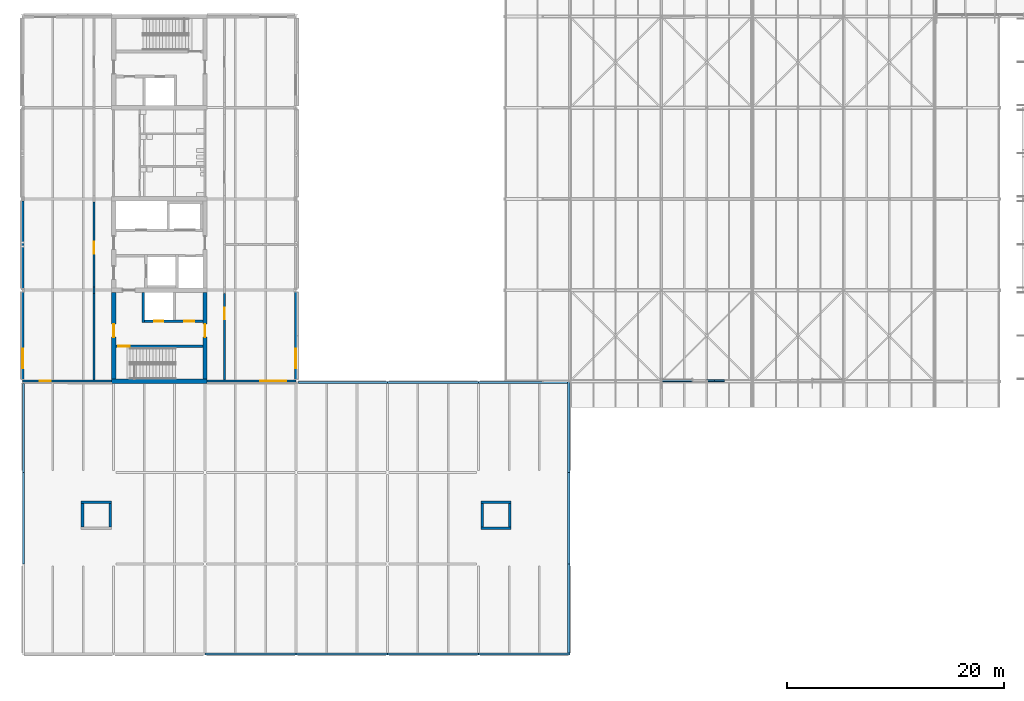
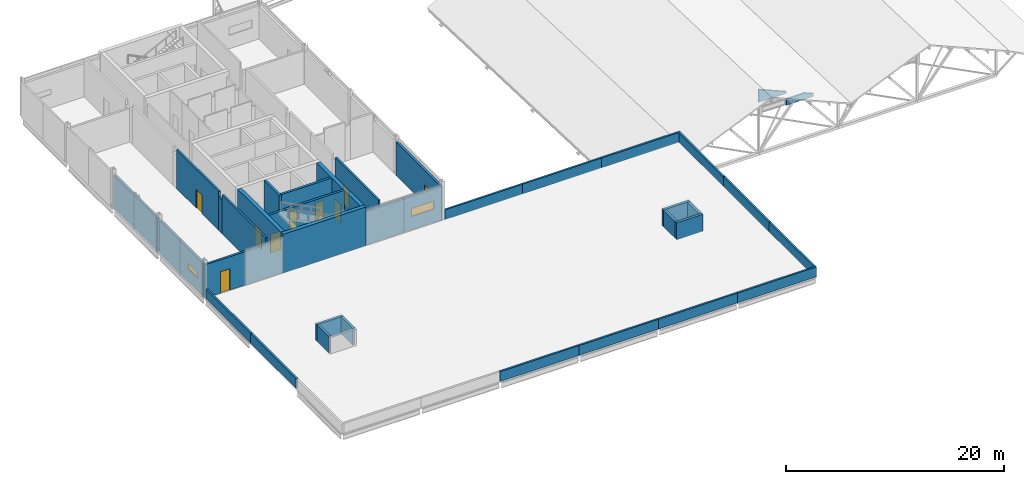
# One storey, part 31 of 76: 36 walls, 8 doors, 3 windows, 11 openings.
"""IFC4 building model written with IfcOpenShell, lengths in metres."""

import ifcopenshell
import ifcopenshell.guid

model = None  # the IFC model being written
_history = None  # IfcOwnerHistory: only IFC2X3 demands one
_inside = {}  # id of a spatial element -> (the spatial element, [elements in it])
_under = {}  # id of a project, library or spatial element -> (it, [spatial elements below it])
_declared = {}  # id of a project -> (the project, [libraries it declares])
_typed = {}  # id of a type object -> (the type object, [elements of that type])
_made_of = {}  # id of a material, layer set ... -> (it, [elements and type objects made of it])


def new_model(schema):
    """Start an empty IFC model of exactly this schema.

    Asked for "IFC4X3", IfcOpenShell would pick the latest addendum, in which some entities
    have other attributes; the version numbers below select the first issue.
    IFC2X3 requires an IfcOwnerHistory on every rooted entity: one is made here for all.
    """
    global model, _history
    if schema == "IFC4X3":
        model = ifcopenshell.file(schema_version=(4, 3, 0, 0))
    else:
        model = ifcopenshell.file(schema=schema)
    _inside.clear()
    _under.clear()
    _declared.clear()
    _typed.clear()
    _made_of.clear()
    _history = None
    if model.schema == "IFC2X3":
        org = make("IfcOrganization", Name="unknown")
        user = make(
            "IfcPersonAndOrganization",
            ThePerson=make("IfcPerson", FamilyName="unknown"),
            TheOrganization=org,
        )
        app = make(
            "IfcApplication",
            ApplicationDeveloper=org,
            Version="unknown",
            ApplicationFullName="unknown",
            ApplicationIdentifier="unknown",
        )
        _history = make(
            "IfcOwnerHistory",
            OwningUser=user,
            OwningApplication=app,
            ChangeAction="ADDED",
            CreationDate=0,
        )
    return model


def make(cls, **values):
    """One entity of the class cls with the attributes given. An attribute that is None is left unset."""
    return model.create_entity(
        cls, **{name: value for name, value in values.items() if value is not None}
    )


def rooted(cls, **values):
    """An entity with a GlobalId (a new one), such as an element, a storey or a relation."""
    return make(cls, GlobalId=ifcopenshell.guid.new(), OwnerHistory=_history, **values)


def si_unit(unit_type, name, prefix=None):
    """IfcSIUnit, for example si_unit("LENGTHUNIT", "METRE", prefix="MILLI")."""
    return make("IfcSIUnit", UnitType=unit_type, Prefix=prefix, Name=name)


def assignment(units):
    """IfcUnitAssignment: the units of a project."""
    return None if units is None else make("IfcUnitAssignment", Units=units)


def point(xyz):
    """IfcCartesianPoint."""
    return None if xyz is None else make("IfcCartesianPoint", Coordinates=xyz)


def direction(xyz):
    """IfcDirection."""
    return None if xyz is None else make("IfcDirection", DirectionRatios=xyz)


def frame(location, z_axis=None, x_axis=None):
    """IfcAxis2Placement3D, a coordinate frame: its origin and axes. An axis left out is left unset."""
    return make(
        "IfcAxis2Placement3D",
        Location=point(location),
        Axis=direction(z_axis),
        RefDirection=direction(x_axis),
    )


def frame_2d(location, x_axis=None):
    """IfcAxis2Placement2D, a coordinate frame in the plane: its origin and x axis."""
    return make(
        "IfcAxis2Placement2D", Location=point(location), RefDirection=direction(x_axis)
    )


def origin():
    """The frame at (0, 0, 0) with its axes left unset."""
    return frame((0.0, 0.0, 0.0))


def place(relative_to, where):
    """IfcLocalPlacement: puts the frame where relative to a parent placement (None: the world)."""
    return make(
        "IfcLocalPlacement", PlacementRelTo=relative_to, RelativePlacement=where
    )


def context(
    kind, dimensions, precision=None, world=None, true_north=None, identifier=None
):
    """IfcGeometricRepresentationContext, for example the 3D "Model" context."""
    return make(
        "IfcGeometricRepresentationContext",
        ContextIdentifier=identifier,
        ContextType=kind,
        CoordinateSpaceDimension=dimensions,
        Precision=precision,
        WorldCoordinateSystem=world,
        TrueNorth=true_north,
    )


def subcontext(parent, identifier, kind, view, scale=None):
    """IfcGeometricRepresentationSubContext, for example "Body" below "Model"."""
    return make(
        "IfcGeometricRepresentationSubContext",
        ContextIdentifier=identifier,
        ContextType=kind,
        ParentContext=parent,
        TargetScale=scale,
        TargetView=view,
    )


def project(units=None, contexts=None):
    """IfcProject with its units and contexts."""
    return rooted(
        "IfcProject",
        Name="project",
        RepresentationContexts=contexts,
        UnitsInContext=assignment(units),
    )


def spatial(cls, under=None, at=None, **own):
    """A site, building, storey or space (cls), placed at a placement, below another one or the project."""
    s = rooted(cls, ObjectPlacement=at, **own)
    if under is not None:
        _under.setdefault(under.id(), (under, []))[1].append(s)
    return s


def polyline(points):
    """IfcPolyline through the points."""
    return make("IfcPolyline", Points=[point(p) for p in points])


def profile(cls, at=None, kind="AREA", **sizes):
    """A parametric profile (cls). Its sizes go by their IFC names, for example OverallWidth=200.0."""
    return make(cls, ProfileType=kind, Position=at, **sizes)


def rectangle(**sizes):
    """IfcRectangleProfileDef."""
    return profile("IfcRectangleProfileDef", **sizes)


def outline(outer, holes=None, kind="AREA"):
    """IfcArbitraryClosedProfileDef: a profile drawn as a closed curve; with holes, ...WithVoids."""
    if holes is None:
        return make("IfcArbitraryClosedProfileDef", ProfileType=kind, OuterCurve=outer)
    return make(
        "IfcArbitraryProfileDefWithVoids",
        ProfileType=kind,
        OuterCurve=outer,
        InnerCurves=holes,
    )


def extrude(swept, where, along, depth):
    """IfcExtrudedAreaSolid: the profile swept, set in the frame where, extruded along a direction by depth."""
    return make(
        "IfcExtrudedAreaSolid",
        SweptArea=swept,
        Position=where,
        ExtrudedDirection=direction(along),
        Depth=depth,
    )


def shape(context_of_items, identifier, shape_type, items):
    """IfcShapeRepresentation: the items that make up one representation, for example the "Body"."""
    return make(
        "IfcShapeRepresentation",
        ContextOfItems=context_of_items,
        RepresentationIdentifier=identifier,
        RepresentationType=shape_type,
        Items=items,
    )


def material(Name=None, Category=None):
    """IfcMaterial."""
    return make("IfcMaterial", Name=Name, Category=Category)


def layer(
    of_material, thickness, ventilated=None, Name=None, Category=None, Priority=None
):
    """IfcMaterialLayer: one layer of a wall or slab, of a material (None: an air gap)."""
    return make(
        "IfcMaterialLayer",
        Material=of_material,
        LayerThickness=thickness,
        IsVentilated=ventilated,
        Name=Name,
        Category=Category,
        Priority=Priority,
    )


def layer_set(layers, Name=None):
    """IfcMaterialLayerSet."""
    return make("IfcMaterialLayerSet", MaterialLayers=layers, LayerSetName=Name)


def made_of(thing, what):
    """Note that an element or type object is made of a material, layer set ...; save() writes the relation."""
    if what is not None:
        _made_of.setdefault(what.id(), (what, []))[1].append(thing)
    return thing


def type_object(cls, material=None, **own):
    """A type object (cls), such as IfcWallType, which elements share."""
    return made_of(rooted(cls, **own), material)


def element(
    cls,
    number,
    at=None,
    inside=None,
    cuts=None,
    type_object=None,
    material=None,
    context=None,
    identifier="Body",
    shape_type=None,
    held_by="IfcProductDefinitionShape",
    body=None,
    shapes=None,
    **own,
):
    """One element of the class cls, such as IfcWall. Its Tag is "e" and its number.

    at: its placement. inside: the storey or other place that contains it. cuts: it is an
    opening in that element (IfcRelVoidsElement). A single representation is given by context,
    identifier, shape_type and body (its items); several are given by shapes. held_by: the class
    of the entity that holds the representations. save() writes the other relations.
    """
    e = rooted(cls, Tag="e%d" % number, ObjectPlacement=at, **own)
    if body is not None:
        shapes = [shape(context, identifier, shape_type, body)]
    if shapes is not None:
        e.Representation = make(held_by, Representations=shapes)
    if inside is not None:
        _inside.setdefault(inside.id(), (inside, []))[1].append(e)
    if cuts is not None:
        rooted(
            "IfcRelVoidsElement", RelatingBuildingElement=cuts, RelatedOpeningElement=e
        )
    if type_object is not None:
        _typed.setdefault(type_object.id(), (type_object, []))[1].append(e)
    return made_of(e, material)


def fill(opening, filler):
    """IfcRelFillsElement: the door or window that sits in an opening."""
    return rooted(
        "IfcRelFillsElement",
        RelatingOpeningElement=opening,
        RelatedBuildingElement=filler,
    )


def aggregate(whole, parts):
    """IfcRelAggregates: a whole, such as a stair, and the parts it consists of."""
    return rooted("IfcRelAggregates", RelatingObject=whole, RelatedObjects=parts)


def save(model, path):
    """Write the relations noted so far, then the file.

    IfcRelAggregates (storeys below a building ...), IfcRelContainedInSpatialStructure (elements
    in a storey), IfcRelDefinesByType, IfcRelAssociatesMaterial and IfcRelDeclares: one each for
    every whole, place, type object, material and project.
    """
    for whole, parts in _under.values():
        aggregate(whole, parts)
    for where, things in _inside.values():
        rooted(
            "IfcRelContainedInSpatialStructure",
            RelatedElements=things,
            RelatingStructure=where,
        )
    for kind, things in _typed.values():
        rooted("IfcRelDefinesByType", RelatedObjects=things, RelatingType=kind)
    for what, things in _made_of.values():
        rooted("IfcRelAssociatesMaterial", RelatedObjects=things, RelatingMaterial=what)
    for by, libraries in _declared.values():
        rooted("IfcRelDeclares", RelatingContext=by, RelatedDefinitions=libraries)
    model.write(path)


model = new_model("IFC4")

# Units and contexts
model_context = context("Model", 3, precision=1e-05, world=origin(), true_north=direction((0.0, 1.0)))
body_context = subcontext(model_context, "Body", "Model", "MODEL_VIEW")
ifc_project = project(units=[si_unit("LENGTHUNIT", "METRE"), si_unit("AREAUNIT", "SQUARE_METRE"), si_unit("VOLUMEUNIT", "CUBIC_METRE"), si_unit("PLANEANGLEUNIT", "RADIAN"), si_unit("MASSUNIT", "GRAM", prefix="KILO")], contexts=[model_context])

# Site, building, storey
site_placement = place(None, origin())
site = spatial("IfcSite", under=ifc_project, at=site_placement, CompositionType="ELEMENT")
building_placement = place(site_placement, origin())
building = spatial("IfcBuilding", under=site, at=building_placement, Name="Hlaing Beacon Police Headquarters", CompositionType="ELEMENT")
storey_placement = place(building_placement, frame((0.0, 0.0, 18.89990234375)))
storey = spatial("IfcBuildingStorey", under=building, at=storey_placement, Name="L04", CompositionType="ELEMENT", Elevation=18.89990234375)

# Wall
ifc_material_1 = material(Name="Concrete C60/75", Category="concrete")
ifc_layer_1 = layer(ifc_material_1, 0.39990234375)
ifc_layer_set_1 = layer_set([ifc_layer_1], Name="Concrete C60/75")
wall_type_1 = type_object("IfcWallType", Name="Core shear wall 400", PredefinedType="SHEAR", material=ifc_layer_set_1)
wall_1_placement = place(storey_placement, frame((16.60009765625, 33.60009765625, 0.0), z_axis=(0.0, 0.0, 1.0), x_axis=(1.0, 0.0, 0.0)))
element("IfcWall", 1, at=wall_1_placement, inside=storey, type_object=wall_type_1, Name="Core shear wall", PredefinedType="SHEAR", context=body_context, shape_type="SweptSolid", body=[
    extrude(rectangle(XDim=8.7998046875, YDim=0.39990234375, at=frame_2d((4.39990234375, 0.0))), origin(), (0.0, 0.0, 1.0), 4.3701171875),
])

# Wall, opening, door
wall_2_placement = place(storey_placement, frame((16.800048828125, 33.800048828125, 0.0), z_axis=(0.0, 0.0, 1.0), x_axis=(0.0, 1.0, 0.0)))
wall_2 = element("IfcWall", 2, at=wall_2_placement, inside=storey, type_object=wall_type_1, Name="Core shear wall", PredefinedType="SHEAR", context=body_context, shape_type="SweptSolid", body=[
    extrude(rectangle(XDim=8.0, YDim=0.39990234375, at=frame_2d((4.0, 0.0))), origin(), (0.0, 0.0, 1.0), 4.3701171875),
])
opening_1_placement = place(wall_2_placement, frame((3.875, 0.0, 0.0)))
opening_1 = element("IfcOpeningElement", 3, at=opening_1_placement, cuts=wall_2, Name="Opening L04-928", PredefinedType="OPENING", context=body_context, shape_type="SweptSolid", body=[
    extrude(rectangle(XDim=1.199951171875, YDim=2.10009765625, at=frame_2d((0.60009765625, 1.050048828125))), frame((0.0, 0.2099609375, 0.0), z_axis=(0.0, -1.0, 0.0), x_axis=(1.0, 0.0, 0.0)), (0.0, 0.0, 1.0), 0.419921875),
])
ifc_material_2 = material(Name="Steel fire door leaf", Category="steel")
ifc_layer_2 = layer(ifc_material_2, 0.070068359375)
ifc_layer_set_2 = layer_set([ifc_layer_2], Name="Steel fire door leaf")
door_type_1 = type_object("IfcDoorType", Name="Steel fire door FD60S 1200x2100", OperationType="SINGLE_SWING_LEFT", PredefinedType="DOOR", material=ifc_layer_set_2)
door_1_placement = place(opening_1_placement, frame((1.199951171875, 0.0, 0.0), z_axis=(0.0, 0.0, 1.0), x_axis=(-1.0, 0.0, 0.0)))
door_1 = element("IfcDoor", 4, at=door_1_placement, inside=storey, type_object=door_type_1, Name="Door Stair Lobby ST-N Entry", OperationType="SINGLE_SWING_RIGHT", OverallHeight=2.10009765625, OverallWidth=1.199951171875, PredefinedType="DOOR", context=body_context, shape_type="SweptSolid", body=[
    extrude(rectangle(XDim=1.199951171875, YDim=2.10009765625, at=frame_2d((0.599853515625, 1.050048828125))), frame((0.0, 0.034912109375, 0.0), z_axis=(0.0, -1.0, 0.0), x_axis=(1.0, 0.0, 0.0)), (0.0, 0.0, 1.0), 0.070068359375),
])
fill(opening_1, door_1)

wall_3_placement = place(storey_placement, frame((25.199951171875, 33.800048828125, 0.0), z_axis=(0.0, 0.0, 1.0), x_axis=(0.0, 1.0, 0.0)))
wall_3 = element("IfcWall", 5, at=wall_3_placement, inside=storey, type_object=wall_type_1, Name="Core shear wall", PredefinedType="SHEAR", context=body_context, shape_type="SweptSolid", body=[
    extrude(rectangle(XDim=8.0, YDim=0.39990234375, at=frame_2d((4.0, 0.0))), origin(), (0.0, 0.0, 1.0), 4.3701171875),
])
opening_2_placement = place(wall_3_placement, frame((3.875, 0.0, 0.0)))
opening_2 = element("IfcOpeningElement", 6, at=opening_2_placement, cuts=wall_3, Name="Opening L04-929", PredefinedType="OPENING", context=body_context, shape_type="SweptSolid", body=[
    extrude(rectangle(XDim=1.199951171875, YDim=2.10009765625, at=frame_2d((0.60009765625, 1.050048828125))), frame((0.0, 0.2099609375, 0.0), z_axis=(0.0, -1.0, 0.0), x_axis=(1.0, 0.0, 0.0)), (0.0, 0.0, 1.0), 0.419921875),
])
door_2_placement = place(opening_2_placement, origin())
door_2 = element("IfcDoor", 7, at=door_2_placement, inside=storey, type_object=door_type_1, Name="Door Stair Lobby ST-N Entry", OperationType="SINGLE_SWING_LEFT", OverallHeight=2.10009765625, OverallWidth=1.199951171875, PredefinedType="DOOR", context=body_context, shape_type="SweptSolid", body=[
    extrude(rectangle(XDim=1.199951171875, YDim=2.10009765625, at=frame_2d((0.60009765625, 1.050048828125))), frame((0.0, 0.03515625, 0.0), z_axis=(0.0, -1.0, 0.0), x_axis=(1.0, 0.0, 0.0)), (0.0, 0.0, 1.0), 0.070068359375),
])
fill(opening_2, door_2)

# Walls
ifc_material_3 = material(Name="Insulated aluminium panel infill", Category="aluminium")
ifc_layer_3 = layer(ifc_material_3, 0.175048828125)
ifc_layer_set_3 = layer_set([ifc_layer_3], Name="Insulated aluminium panel infill")
wall_type_2 = type_object("IfcWallType", Name="Insulated panel infill wall 175", PredefinedType="SOLIDWALL", material=ifc_layer_set_3)
wall_4_placement = place(storey_placement, frame((67.199951171875, 33.66259765625, 1.35009765625), z_axis=(0.0, 0.0, 1.0), x_axis=(1.0, 0.0, 0.0)))
element("IfcWall", 8, at=wall_4_placement, inside=storey, type_object=wall_type_2, Name="Gable fascia L04 S003", PredefinedType="SOLIDWALL", context=body_context, shape_type="SweptSolid", body=[
    extrude(outline(polyline([(0.0, 0.0), (2.916748046875, 0.0), (2.916748046875, 0.199951171875), (0.0, 1.449951171875), (0.0, 0.0)])), frame((0.0, 0.08740234375, 0.0), z_axis=(0.0, -1.0, 0.0), x_axis=(1.0, 0.0, 0.0)), (0.0, 0.0, 1.0), 0.175048828125),
])
wall_5_placement = place(storey_placement, frame((70.11669921875, 33.66259765625, 0.0), z_axis=(0.0, 0.0, 1.0), x_axis=(1.0, 0.0, 0.0)))
element("IfcWall", 9, at=wall_5_placement, inside=storey, type_object=wall_type_2, Name="Gable fascia L04 S004", PredefinedType="SOLIDWALL", context=body_context, shape_type="SweptSolid", body=[
    extrude(outline(polyline([(0.0, 0.0), (2.91650390625, 0.0), (2.916748046875, 0.300048828125), (1.98095703125, 0.701171875), (0.0, 0.701171875), (0.0, 0.0)])), frame((0.0, 0.08740234375, 0.0), z_axis=(0.0, -1.0, 0.0), x_axis=(1.0, 0.0, 0.0)), (0.0, 0.0, 1.0), 0.175048828125),
])

# Wall, opening, door
ifc_material_4 = material(Name="Concrete blockwork 7.5 N/mm2", Category="masonry")
ifc_layer_4 = layer(ifc_material_4, 0.199951171875)
ifc_layer_set_4 = layer_set([ifc_layer_4], Name="Concrete blockwork 7.5 N/mm2")
wall_type_3 = type_object("IfcWallType", Name="Laboratory wall EI 60 200", PredefinedType="PARTITIONING", material=ifc_layer_set_4)
wall_6_placement = place(storey_placement, frame((27.0, 33.75, 0.0), z_axis=(0.0, 0.0, 1.0), x_axis=(0.0, 1.0, 0.0)))
wall_6 = element("IfcWall", 10, at=wall_6_placement, inside=storey, type_object=wall_type_3, Name="Laboratory wall EI 60 200", PredefinedType="PARTITIONING", context=body_context, shape_type="SweptSolid", body=[
    extrude(rectangle(XDim=7.945068359375, YDim=0.199951171875, at=frame_2d((3.97265625, 0.0))), origin(), (0.0, 0.0, 1.0), 4.3701171875),
])
opening_3_placement = place(wall_6_placement, frame((5.550048828125, 0.0, 0.0)))
opening_3 = element("IfcOpeningElement", 11, at=opening_3_placement, cuts=wall_6, Name="Opening L04-012", PredefinedType="OPENING", context=body_context, shape_type="SweptSolid", body=[
    extrude(rectangle(XDim=1.10009765625, YDim=2.10009765625, at=frame_2d((0.550048828125, 1.050048828125))), frame((0.0, 0.10986328125, 0.0), z_axis=(0.0, -1.0, 0.0), x_axis=(1.0, 0.0, 0.0)), (0.0, 0.0, 1.0), 0.219970703125),
])
ifc_material_5 = material(Name="Hardwood door leaf", Category="wood")
ifc_layer_5 = layer(ifc_material_5, 0.050048828125)
ifc_layer_set_5 = layer_set([ifc_layer_5], Name="Hardwood door leaf")
door_type_2 = type_object("IfcDoorType", Name="Fire door FD30 1100x2100", OperationType="SINGLE_SWING_LEFT", PredefinedType="DOOR", material=ifc_layer_set_5)
door_3_placement = place(opening_3_placement, frame((1.10009765625, 0.0, 0.0), z_axis=(0.0, 0.0, 1.0), x_axis=(-1.0, 0.0, 0.0)))
door_3 = element("IfcDoor", 12, at=door_3_placement, inside=storey, type_object=door_type_2, Name="Door Document Examination Laboratory", OperationType="SINGLE_SWING_LEFT", OverallHeight=2.10009765625, OverallWidth=1.10009765625, PredefinedType="DOOR", context=body_context, shape_type="SweptSolid", body=[
    extrude(rectangle(XDim=1.10009765625, YDim=2.10009765625, at=frame_2d((0.550048828125, 1.050048828125))), frame((0.0, 0.025146484375, 0.0), z_axis=(0.0, -1.0, 0.0), x_axis=(1.0, 0.0, 0.0)), (0.0, 0.0, 1.0), 0.050048828125),
])
fill(opening_3, door_3)

# Walls
wall_7_placement = place(storey_placement, frame((15.0, 33.75, 0.0), z_axis=(0.0, 0.0, 1.0), x_axis=(0.0, 1.0, 0.0)))
element("IfcWall", 13, at=wall_7_placement, inside=storey, type_object=wall_type_3, Name="Laboratory wall EI 60 200", PredefinedType="PARTITIONING", context=body_context, shape_type="SweptSolid", body=[
    extrude(rectangle(XDim=7.945068359375, YDim=0.199951171875, at=frame_2d((3.97265625, 0.0))), origin(), (0.0, 0.0, 1.0), 4.3701171875),
])
wall_8_placement = place(storey_placement, frame((15.0, 41.695068359375, 0.0), z_axis=(0.0, 0.0, 1.0), x_axis=(0.0, 1.0, 0.0)))
element("IfcWall", 14, at=wall_8_placement, inside=storey, type_object=wall_type_3, Name="Laboratory wall EI 60 200", PredefinedType="PARTITIONING", context=body_context, shape_type="SweptSolid", body=[
    extrude(rectangle(XDim=0.60986328125, YDim=0.199951171875, at=frame_2d((0.304931640625, 0.0))), origin(), (0.0, 0.0, 1.0), 3.74609375),
])

# Wall, opening, door
wall_9_placement = place(storey_placement, frame((15.0, 42.304931640625, 0.0), z_axis=(0.0, 0.0, 1.0), x_axis=(0.0, 1.0, 0.0)))
wall_9 = element("IfcWall", 15, at=wall_9_placement, inside=storey, type_object=wall_type_3, Name="Laboratory wall EI 60 200", PredefinedType="PARTITIONING", context=body_context, shape_type="SweptSolid", body=[
    extrude(rectangle(XDim=7.7900390625, YDim=0.199951171875, at=frame_2d((3.89501953125, 0.0))), origin(), (0.0, 0.0, 1.0), 4.3701171875),
])
opening_4_placement = place(wall_9_placement, frame((3.044921875, 0.0, 0.0)))
opening_4 = element("IfcOpeningElement", 16, at=opening_4_placement, cuts=wall_9, Name="Opening L04-019", PredefinedType="OPENING", context=body_context, shape_type="SweptSolid", body=[
    extrude(rectangle(XDim=1.10009765625, YDim=2.10009765625, at=frame_2d((0.550048828125, 1.050048828125))), frame((0.0, 0.10986328125, 0.0), z_axis=(0.0, -1.0, 0.0), x_axis=(1.0, 0.0, 0.0)), (0.0, 0.0, 1.0), 0.219970703125),
])
door_4_placement = place(opening_4_placement, origin())
door_4 = element("IfcDoor", 17, at=door_4_placement, inside=storey, type_object=door_type_2, Name="Door Digital Evidence Laboratory", OperationType="SINGLE_SWING_RIGHT", OverallHeight=2.10009765625, OverallWidth=1.10009765625, PredefinedType="DOOR", context=body_context, shape_type="SweptSolid", body=[
    extrude(rectangle(XDim=1.10009765625, YDim=2.10009765625, at=frame_2d((0.550048828125, 1.050048828125))), frame((0.0, 0.02490234375, 0.0), z_axis=(0.0, -1.0, 0.0), x_axis=(1.0, 0.0, 0.0)), (0.0, 0.0, 1.0), 0.050048828125),
])
fill(opening_4, door_4)

ifc_material_6 = material(Name="Fibre cement ribbed cladding on insulated frame")
ifc_layer_6 = layer(ifc_material_6, 0.22509765625)
ifc_layer_set_6 = layer_set([ifc_layer_6], Name="Fibre cement ribbed cladding on insulated frame")
wall_type_4 = type_object("IfcWallType", Name="Ribbed fibre-cement clad wall 225", PredefinedType="SOLIDWALL", material=ifc_layer_set_6)
wall_10_placement = place(storey_placement, frame((8.405517578125, 33.637451171875, 0.0), z_axis=(0.0, 0.0, 1.0), x_axis=(1.0, 0.0, 0.0)))
wall_10 = element("IfcWall", 18, at=wall_10_placement, inside=storey, type_object=wall_type_4, Name="External wall L04 S019", PredefinedType="SOLIDWALL", context=body_context, shape_type="SweptSolid", body=[
    extrude(rectangle(XDim=8.194580078125, YDim=0.22509765625, at=frame_2d((4.09716796875, 0.0))), origin(), (0.0, 0.0, 1.0), 3.74609375),
])
opening_5_placement = place(wall_10_placement, frame((1.594482421875, 0.0, 0.0)))
opening_5 = element("IfcOpeningElement", 19, at=opening_5_placement, cuts=wall_10, Name="Opening L04-801", PredefinedType="OPENING", context=body_context, shape_type="SweptSolid", body=[
    extrude(rectangle(XDim=1.0, YDim=2.39990234375, at=frame_2d((0.5, 1.199951171875))), frame((0.0, 0.12255859375, 0.0), z_axis=(0.0, -1.0, 0.0), x_axis=(1.0, 0.0, 0.0)), (0.0, 0.0, 1.0), 0.2451171875),
])
ifc_material_7 = material(Name="Steel door", Category="steel")
door_type_3 = type_object("IfcDoorType", Name="Door 1000x2400", OperationType="SINGLE_SWING_LEFT", PredefinedType="DOOR", material=ifc_material_7)
door_5_placement = place(opening_5_placement, frame((1.0, 0.0, 0.0), z_axis=(0.0, 0.0, 1.0), x_axis=(-1.0, 0.0, 0.0)))
door_5 = element("IfcDoor", 20, at=door_5_placement, inside=storey, type_object=door_type_3, Name="Door Roof Access from Digital Evidence Laboratory", OperationType="SINGLE_SWING_LEFT", OverallHeight=2.39990234375, OverallWidth=1.0, PredefinedType="DOOR", context=body_context, shape_type="SweptSolid", body=[
    extrude(rectangle(XDim=1.0, YDim=2.39990234375, at=frame_2d((0.5, 1.199951171875))), frame((0.0, 0.025146484375, 0.0), z_axis=(0.0, -1.0, 0.0), x_axis=(1.0, 0.0, 0.0)), (0.0, 0.0, 1.0), 0.050048828125),
])
fill(opening_5, door_5)

# Wall, opening, window
wall_11_placement = place(storey_placement, frame((25.39990234375, 33.637451171875, 0.0), z_axis=(0.0, 0.0, 1.0), x_axis=(1.0, 0.0, 0.0)))
wall_11 = element("IfcWall", 21, at=wall_11_placement, inside=storey, type_object=wall_type_4, Name="External wall L04 S020", PredefinedType="SOLIDWALL", context=body_context, shape_type="SweptSolid", body=[
    extrude(rectangle(XDim=8.196044921875, YDim=0.22509765625, at=frame_2d((4.09814453125, 0.0))), origin(), (0.0, 0.0, 1.0), 3.74609375),
])
opening_6_placement = place(wall_11_placement, frame((4.89990234375, 0.0, 1.5)))
opening_6 = element("IfcOpeningElement", 22, at=opening_6_placement, cuts=wall_11, Name="Opening WN15", PredefinedType="OPENING", context=body_context, shape_type="SweptSolid", body=[
    extrude(rectangle(XDim=2.39990234375, YDim=0.89990234375, at=frame_2d((1.199951171875, 0.449951171875))), frame((0.0, 0.12255859375, 0.0), z_axis=(0.0, -1.0, 0.0), x_axis=(1.0, 0.0, 0.0)), (0.0, 0.0, 1.0), 0.2451171875),
])
ifc_material_8 = material(Name="Aluminium frame with solar control glazing", Category="aluminium")
window_type_1 = type_object("IfcWindowType", Name="Laboratory high window 2400x900 frame 80", PartitioningType="SINGLE_PANEL", PredefinedType="WINDOW", material=ifc_material_8)
window_1_placement = place(opening_6_placement, origin())
window_1 = element("IfcWindow", 23, at=window_1_placement, inside=storey, type_object=window_type_1, Name="Window L04 WF", OverallHeight=0.89990234375, OverallWidth=2.39990234375, PartitioningType="SINGLE_PANEL", PredefinedType="WINDOW", context=body_context, shape_type="SweptSolid", body=[
    extrude(rectangle(XDim=2.39990234375, YDim=0.89990234375, at=frame_2d((1.199951171875, 0.449951171875))), frame((0.0, 0.0400390625, 0.0), z_axis=(0.0, -1.0, 0.0), x_axis=(1.0, 0.0, 0.0)), (0.0, 0.0, 1.0), 0.080078125),
])
fill(opening_6, window_1)

wall_12_placement = place(storey_placement, frame((33.5625, 33.770751953125, 0.0), z_axis=(0.0, 0.0, 1.0), x_axis=(0.0, 1.0, 0.0)))
wall_12 = element("IfcWall", 24, at=wall_12_placement, inside=storey, type_object=wall_type_4, Name="External wall L04 E021", PredefinedType="SOLIDWALL", context=body_context, shape_type="SweptSolid", body=[
    extrude(rectangle(XDim=8.05859375, YDim=0.22509765625, at=frame_2d((4.029296875, 0.0))), origin(), (0.0, 0.0, 1.0), 3.74609375),
])
opening_7_placement = place(wall_12_placement, frame((1.029296875, 0.0, 1.5)))
opening_7 = element("IfcOpeningElement", 25, at=opening_7_placement, cuts=wall_12, Name="Opening WN14", PredefinedType="OPENING", context=body_context, shape_type="SweptSolid", body=[
    extrude(rectangle(XDim=1.800048828125, YDim=0.60009765625, at=frame_2d((0.89990234375, 0.300048828125))), frame((0.0, 0.12255859375, 0.0), z_axis=(0.0, -1.0, 0.0), x_axis=(1.0, 0.0, 0.0)), (0.0, 0.0, 1.0), 0.2451171875),
])
ifc_material_9 = material(Name="Aluminium frame with solar control glazing", Category="aluminium")
window_type_2 = type_object("IfcWindowType", Name="Strip window 1800x600 frame 80", PartitioningType="SINGLE_PANEL", PredefinedType="WINDOW", material=ifc_material_9)
window_2_placement = place(opening_7_placement, origin())
window_2 = element("IfcWindow", 26, at=window_2_placement, inside=storey, type_object=window_type_2, Name="Window L04 WJ", OverallHeight=0.60009765625, OverallWidth=1.800048828125, PartitioningType="SINGLE_PANEL", PredefinedType="WINDOW", context=body_context, shape_type="SweptSolid", body=[
    extrude(rectangle(XDim=1.800048828125, YDim=0.60009765625, at=frame_2d((0.89990234375, 0.300048828125))), frame((0.0, 0.0400390625, 0.0), z_axis=(0.0, -1.0, 0.0), x_axis=(1.0, 0.0, 0.0)), (0.0, 0.0, 1.0), 0.080078125),
])
fill(opening_7, window_2)

# Wall
wall_13_placement = place(storey_placement, frame((8.4375, 50.229248046875, 0.0), z_axis=(0.0, 0.0, 1.0), x_axis=(0.0, -1.0, 0.0)))
element("IfcWall", 27, at=wall_13_placement, inside=storey, type_object=wall_type_4, Name="External wall L04 W029", PredefinedType="SOLIDWALL", context=body_context, shape_type="SweptSolid", body=[
    extrude(rectangle(XDim=8.05859375, YDim=0.22509765625, at=frame_2d((4.029296875, 0.0))), origin(), (0.0, 0.0, 1.0), 3.738037109375),
])

# Wall, opening, window
wall_14_placement = place(storey_placement, frame((8.4375, 41.829345703125, 0.0), z_axis=(0.0, 0.0, 1.0), x_axis=(0.0, -1.0, 0.0)))
wall_14 = element("IfcWall", 28, at=wall_14_placement, inside=storey, type_object=wall_type_4, Name="External wall L04 W030", PredefinedType="SOLIDWALL", context=body_context, shape_type="SweptSolid", body=[
    extrude(rectangle(XDim=8.05908203125, YDim=0.22509765625, at=frame_2d((4.029541015625, 0.0))), origin(), (0.0, 0.0, 1.0), 3.74609375),
])
opening_8_placement = place(wall_14_placement, frame((5.229248046875, 0.0, 1.5)))
opening_8 = element("IfcOpeningElement", 29, at=opening_8_placement, cuts=wall_14, Name="Opening WN14", PredefinedType="OPENING", context=body_context, shape_type="SweptSolid", body=[
    extrude(rectangle(XDim=1.800048828125, YDim=0.60009765625, at=frame_2d((0.89990234375, 0.300048828125))), frame((0.0, 0.12255859375, 0.0), z_axis=(0.0, -1.0, 0.0), x_axis=(1.0, 0.0, 0.0)), (0.0, 0.0, 1.0), 0.2451171875),
])
window_3_placement = place(opening_8_placement, origin())
window_3 = element("IfcWindow", 30, at=window_3_placement, inside=storey, type_object=window_type_2, Name="Window L04 WJ", OverallHeight=0.60009765625, OverallWidth=1.800048828125, PartitioningType="SINGLE_PANEL", PredefinedType="WINDOW", context=body_context, shape_type="SweptSolid", body=[
    extrude(rectangle(XDim=1.800048828125, YDim=0.60009765625, at=frame_2d((0.89990234375, 0.300048828125))), frame((0.0, 0.0400390625, 0.0), z_axis=(0.0, -1.0, 0.0), x_axis=(1.0, 0.0, 0.0)), (0.0, 0.0, 1.0), 0.080078125),
])
fill(opening_8, window_3)

# Walls
ifc_material_10 = material(Name="Concrete C40/50", Category="concrete")
ifc_layer_7 = layer(ifc_material_10, 0.199951171875)
ifc_layer_set_7 = layer_set([ifc_layer_7], Name="Concrete C40/50")
wall_type_5 = type_object("IfcWallType", Name="Roof parapet 200", PredefinedType="PARAPET", material=ifc_layer_set_7)
wall_15_placement = place(storey_placement, frame((58.699951171875, 8.60009765625, 0.0), z_axis=(0.0, 0.0, 1.0), x_axis=(0.0, 1.0, 0.0)))
element("IfcWall", 31, at=wall_15_placement, inside=storey, type_object=wall_type_5, Name="Roof parapet V4 0", PredefinedType="PARAPET", context=body_context, shape_type="SweptSolid", body=[
    extrude(rectangle(XDim=8.199951171875, YDim=0.199951171875, at=frame_2d((4.10009765625, 0.0))), origin(), (0.0, 0.0, 1.0), 1.10009765625),
])
wall_16_placement = place(storey_placement, frame((58.699951171875, 16.800048828125, 0.0), z_axis=(0.0, 0.0, 1.0), x_axis=(0.0, 1.0, 0.0)))
element("IfcWall", 32, at=wall_16_placement, inside=storey, type_object=wall_type_5, Name="Roof parapet V4 1", PredefinedType="PARAPET", context=body_context, shape_type="SweptSolid", body=[
    extrude(rectangle(XDim=8.39990234375, YDim=0.199951171875, at=frame_2d((4.199951171875, 0.0))), origin(), (0.0, 0.0, 1.0), 1.10009765625),
])
wall_17_placement = place(storey_placement, frame((58.699951171875, 25.199951171875, 0.0), z_axis=(0.0, 0.0, 1.0), x_axis=(0.0, 1.0, 0.0)))
element("IfcWall", 33, at=wall_17_placement, inside=storey, type_object=wall_type_5, Name="Roof parapet V4 2", PredefinedType="PARAPET", context=body_context, shape_type="SweptSolid", body=[
    extrude(rectangle(XDim=8.400146484375, YDim=0.199951171875, at=frame_2d((4.2001953125, 0.0))), origin(), (0.0, 0.0, 1.0), 1.10009765625),
])
wall_18_placement = place(storey_placement, frame((58.60009765625, 33.5, 0.0), z_axis=(0.0, 0.0, 1.0), x_axis=(-1.0, 0.0, 0.0)))
element("IfcWall", 34, at=wall_18_placement, inside=storey, type_object=wall_type_5, Name="Roof parapet V4 3", PredefinedType="PARAPET", context=body_context, shape_type="SweptSolid", body=[
    extrude(rectangle(XDim=8.2001953125, YDim=0.199951171875, at=frame_2d((4.10009765625, 0.0))), origin(), (0.0, 0.0, 1.0), 1.10009765625),
])
wall_19_placement = place(storey_placement, frame((50.39990234375, 33.5, 0.0), z_axis=(0.0, 0.0, 1.0), x_axis=(-1.0, 0.0, 0.0)))
element("IfcWall", 35, at=wall_19_placement, inside=storey, type_object=wall_type_5, Name="Roof parapet V4 4", PredefinedType="PARAPET", context=body_context, shape_type="SweptSolid", body=[
    extrude(rectangle(XDim=8.39990234375, YDim=0.199951171875, at=frame_2d((4.199951171875, 0.0))), origin(), (0.0, 0.0, 1.0), 1.10009765625),
])
wall_20_placement = place(storey_placement, frame((42.0, 33.5, 0.0), z_axis=(0.0, 0.0, 1.0), x_axis=(-1.0, 0.0, 0.0)))
element("IfcWall", 36, at=wall_20_placement, inside=storey, type_object=wall_type_5, Name="Roof parapet V4 5", PredefinedType="PARAPET", context=body_context, shape_type="SweptSolid", body=[
    extrude(rectangle(XDim=8.214599609375, YDim=0.199951171875, at=frame_2d((4.107421875, 0.0))), origin(), (0.0, 0.0, 1.0), 1.10009765625),
])
wall_21_placement = place(storey_placement, frame((8.5, 33.39990234375, 0.0), z_axis=(0.0, 0.0, 1.0), x_axis=(0.0, -1.0, 0.0)))
element("IfcWall", 37, at=wall_21_placement, inside=storey, type_object=wall_type_5, Name="Roof parapet V4 6", PredefinedType="PARAPET", context=body_context, shape_type="SweptSolid", body=[
    extrude(rectangle(XDim=8.199951171875, YDim=0.199951171875, at=frame_2d((4.10009765625, 0.0))), origin(), (0.0, 0.0, 1.0), 1.10009765625),
])
wall_22_placement = place(storey_placement, frame((8.5, 25.199951171875, 0.0), z_axis=(0.0, 0.0, 1.0), x_axis=(0.0, -1.0, 0.0)))
element("IfcWall", 38, at=wall_22_placement, inside=storey, type_object=wall_type_5, Name="Roof parapet V4 7", PredefinedType="PARAPET", context=body_context, shape_type="SweptSolid", body=[
    extrude(rectangle(XDim=8.39990234375, YDim=0.199951171875, at=frame_2d((4.199951171875, 0.0))), origin(), (0.0, 0.0, 1.0), 1.10009765625),
])
wall_23_placement = place(storey_placement, frame((25.199951171875, 8.5, 0.0), z_axis=(0.0, 0.0, 1.0), x_axis=(1.0, 0.0, 0.0)))
element("IfcWall", 39, at=wall_23_placement, inside=storey, type_object=wall_type_5, Name="Roof parapet V4 11", PredefinedType="PARAPET", context=body_context, shape_type="SweptSolid", body=[
    extrude(rectangle(XDim=8.400146484375, YDim=0.199951171875, at=frame_2d((4.2001953125, 0.0))), origin(), (0.0, 0.0, 1.0), 1.10009765625),
])
for number, where, z_axis, x_axis, name in (
    (40, (33.60009765625, 8.5, 0.0), (0.0, 0.0, 1.0), (1.0, 0.0, 0.0), "Roof parapet V4 12"),
    (41, (42.0, 8.5, 0.0), (0.0, 0.0, 1.0), (1.0, 0.0, 0.0), "Roof parapet V4 13"),
):
    element("IfcWall", number, at=place(storey_placement, frame(where, z_axis=z_axis, x_axis=x_axis)), inside=storey, type_object=wall_type_5, Name=name, PredefinedType="PARAPET", context=body_context, shape_type="SweptSolid", body=[
        extrude(rectangle(XDim=8.39990234375, YDim=0.199951171875, at=frame_2d((4.199951171875, 0.0))), origin(), (0.0, 0.0, 1.0), 1.10009765625),
    ])
wall_24_placement = place(storey_placement, frame((50.39990234375, 8.5, 0.0), z_axis=(0.0, 0.0, 1.0), x_axis=(1.0, 0.0, 0.0)))
element("IfcWall", 42, at=wall_24_placement, inside=storey, type_object=wall_type_5, Name="Roof parapet V4 14", PredefinedType="PARAPET", context=body_context, shape_type="SweptSolid", body=[
    extrude(rectangle(XDim=8.400146484375, YDim=0.199951171875, at=frame_2d((4.2001953125, 0.0))), origin(), (0.0, 0.0, 1.0), 1.10009765625),
])

# Wall, opening, door
ifc_material_11 = material(Name="Concrete C40/50", Category="concrete")
ifc_layer_8 = layer(ifc_material_11, 0.25)
ifc_layer_set_8 = layer_set([ifc_layer_8], Name="Concrete C40/50")
wall_type_6 = type_object("IfcWallType", Name="Shaft wall 250", PredefinedType="SOLIDWALL", material=ifc_layer_set_8)
wall_25_placement = place(storey_placement, frame((17.0, 36.824951171875, 0.0), z_axis=(0.0, 0.0, 1.0), x_axis=(1.0, 0.0, 0.0)))
wall_25 = element("IfcWall", 43, at=wall_25_placement, inside=storey, type_object=wall_type_6, Name="Stair enclosure wall", PredefinedType="SOLIDWALL", context=body_context, shape_type="SweptSolid", body=[
    extrude(rectangle(XDim=8.0, YDim=0.25, at=frame_2d((4.0, 0.0))), origin(), (0.0, 0.0, 1.0), 4.3701171875),
])
opening_9_placement = place(wall_25_placement, frame((0.199951171875, 0.0, 0.0)))
opening_9 = element("IfcOpeningElement", 44, at=opening_9_placement, cuts=wall_25, Name="Opening L04-931", PredefinedType="OPENING", context=body_context, shape_type="SweptSolid", body=[
    extrude(rectangle(XDim=1.10009765625, YDim=2.10009765625, at=frame_2d((0.550048828125, 1.050048828125))), frame((0.0, 0.135009765625, 0.0), z_axis=(0.0, -1.0, 0.0), x_axis=(1.0, 0.0, 0.0)), (0.0, 0.0, 1.0), 0.27001953125),
])
ifc_material_12 = material(Name="Steel fire door leaf", Category="steel")
ifc_layer_9 = layer(ifc_material_12, 0.070068359375)
ifc_layer_set_9 = layer_set([ifc_layer_9], Name="Steel fire door leaf")
door_type_4 = type_object("IfcDoorType", Name="Steel fire door FD60 1100x2100", OperationType="SINGLE_SWING_LEFT", PredefinedType="DOOR", material=ifc_layer_set_9)
door_6_placement = place(opening_9_placement, frame((1.10009765625, 0.0, 0.0), z_axis=(0.0, 0.0, 1.0), x_axis=(-1.0, 0.0, 0.0)))
door_6 = element("IfcDoor", 45, at=door_6_placement, inside=storey, type_object=door_type_4, Name="Door Stair ST-N", OperationType="SINGLE_SWING_LEFT", OverallHeight=2.10009765625, OverallWidth=1.10009765625, PredefinedType="DOOR", context=body_context, shape_type="SweptSolid", body=[
    extrude(rectangle(XDim=1.10009765625, YDim=2.10009765625, at=frame_2d((0.550048828125, 1.050048828125))), frame((0.0, 0.034912109375, 0.0), z_axis=(0.0, -1.0, 0.0), x_axis=(1.0, 0.0, 0.0)), (0.0, 0.0, 1.0), 0.070068359375),
])
fill(opening_9, door_6)

# Wall
wall_26_placement = place(storey_placement, frame((19.52490234375, 39.0, 0.0), z_axis=(0.0, 0.0, 1.0), x_axis=(0.0, 1.0, 0.0)))
element("IfcWall", 46, at=wall_26_placement, inside=storey, type_object=wall_type_6, Name="Lobby wall", PredefinedType="SOLIDWALL", context=body_context, shape_type="SweptSolid", body=[
    extrude(rectangle(XDim=2.800048828125, YDim=0.25, at=frame_2d((1.39990234375, 0.0))), origin(), (0.0, 0.0, 1.0), 4.3701171875),
])

# Wall, openings, doors
wall_27_placement = place(storey_placement, frame((19.64990234375, 39.125, 0.0), z_axis=(0.0, 0.0, 1.0), x_axis=(1.0, 0.0, 0.0)))
wall_27 = element("IfcWall", 47, at=wall_27_placement, inside=storey, type_object=wall_type_6, Name="Lobby wall", PredefinedType="SOLIDWALL", context=body_context, shape_type="SweptSolid", body=[
    extrude(rectangle(XDim=5.35009765625, YDim=0.25, at=frame_2d((2.675048828125, 0.0))), origin(), (0.0, 0.0, 1.0), 4.3701171875),
])
opening_10_placement = place(wall_27_placement, frame((3.64990234375, 0.0, 0.0)))
opening_10 = element("IfcOpeningElement", 48, at=opening_10_placement, cuts=wall_27, Name="Opening L04-927", PredefinedType="OPENING", context=body_context, shape_type="SweptSolid", body=[
    extrude(rectangle(XDim=0.89990234375, YDim=2.10009765625, at=frame_2d((0.449951171875, 1.050048828125))), frame((0.0, 0.135009765625, 0.0), z_axis=(0.0, -1.0, 0.0), x_axis=(1.0, 0.0, 0.0)), (0.0, 0.0, 1.0), 0.27001953125),
])
opening_11_placement = place(wall_27_placement, frame((0.89990234375, 0.0, 0.0)))
opening_11 = element("IfcOpeningElement", 49, at=opening_11_placement, cuts=wall_27, Name="Opening L04-930", PredefinedType="OPENING", context=body_context, shape_type="SweptSolid", body=[
    extrude(rectangle(XDim=0.800048828125, YDim=2.10009765625, at=frame_2d((0.39990234375, 1.050048828125))), frame((0.0, 0.135009765625, 0.0), z_axis=(0.0, -1.0, 0.0), x_axis=(1.0, 0.0, 0.0)), (0.0, 0.0, 1.0), 0.27001953125),
])
ifc_material_13 = material(Name="Steel fire door leaf", Category="steel")
ifc_layer_10 = layer(ifc_material_13, 0.070068359375)
ifc_layer_set_10 = layer_set([ifc_layer_10], Name="Steel fire door leaf")
door_type_5 = type_object("IfcDoorType", Name="Steel fire door FD60 800x2100", OperationType="SINGLE_SWING_LEFT", PredefinedType="DOOR", material=ifc_layer_set_10)
door_7_placement = place(opening_11_placement, origin())
door_7 = element("IfcDoor", 50, at=door_7_placement, inside=storey, type_object=door_type_5, Name="Door Services Riser", OperationType="SINGLE_SWING_RIGHT", OverallHeight=2.10009765625, OverallWidth=0.800048828125, PredefinedType="DOOR", context=body_context, shape_type="SweptSolid", body=[
    extrude(rectangle(XDim=0.800048828125, YDim=2.10009765625, at=frame_2d((0.39990234375, 1.050048828125))), frame((0.0, 0.03515625, 0.0), z_axis=(0.0, -1.0, 0.0), x_axis=(1.0, 0.0, 0.0)), (0.0, 0.0, 1.0), 0.070068359375),
])
fill(opening_11, door_7)
ifc_material_14 = material(Name="Steel fire door leaf", Category="steel")
ifc_layer_11 = layer(ifc_material_14, 0.070068359375)
ifc_layer_set_11 = layer_set([ifc_layer_11], Name="Steel fire door leaf")
door_type_6 = type_object("IfcDoorType", Name="Steel fire door FD60 900x2100", OperationType="SINGLE_SWING_LEFT", PredefinedType="DOOR", material=ifc_layer_set_11)
door_8_placement = place(opening_10_placement, origin())
door_8 = element("IfcDoor", 51, at=door_8_placement, inside=storey, type_object=door_type_6, Name="Door Cleaners' Store", OperationType="SINGLE_SWING_LEFT", OverallHeight=2.10009765625, OverallWidth=0.89990234375, PredefinedType="DOOR", context=body_context, shape_type="SweptSolid", body=[
    extrude(rectangle(XDim=0.89990234375, YDim=2.10009765625, at=frame_2d((0.449951171875, 1.050048828125))), frame((0.0, 0.03515625, 0.0), z_axis=(0.0, -1.0, 0.0), x_axis=(1.0, 0.0, 0.0)), (0.0, 0.0, 1.0), 0.070068359375),
])
fill(opening_10, door_8)

# Walls
wall_28_placement = place(storey_placement, frame((16.47509765625, 20.199951171875, 0.0), z_axis=(0.0, 0.0, 1.0), x_axis=(0.0, 1.0, 0.0)))
element("IfcWall", 52, at=wall_28_placement, inside=storey, type_object=wall_type_6, Name="Lift overrun wall", PredefinedType="SOLIDWALL", context=body_context, shape_type="SweptSolid", body=[
    extrude(rectangle(XDim=2.150146484375, YDim=0.25, at=frame_2d((1.0751953125, 0.0))), origin(), (0.0, 0.0, 1.0), 1.900146484375),
])
wall_29_placement = place(storey_placement, frame((13.800048828125, 22.47509765625, 0.0), z_axis=(0.0, 0.0, 1.0), x_axis=(1.0, 0.0, 0.0)))
element("IfcWall", 53, at=wall_29_placement, inside=storey, type_object=wall_type_6, Name="Lift overrun wall", PredefinedType="SOLIDWALL", context=body_context, shape_type="SweptSolid", body=[
    extrude(rectangle(XDim=2.800048828125, YDim=0.25, at=frame_2d((1.39990234375, 0.0))), origin(), (0.0, 0.0, 1.0), 1.900146484375),
])
for number, where, z_axis, x_axis, name in (
    (54, (13.925048828125, 20.199951171875, 0.0), (0.0, 0.0, 1.0), (0.0, 1.0, 0.0), "Lift overrun wall"),
    (55, (53.27490234375, 20.199951171875, 0.0), (0.0, 0.0, 1.0), (0.0, 1.0, 0.0), "Lift overrun wall"),
):
    element("IfcWall", number, at=place(storey_placement, frame(where, z_axis=z_axis, x_axis=x_axis)), inside=storey, type_object=wall_type_6, Name=name, PredefinedType="SOLIDWALL", context=body_context, shape_type="SweptSolid", body=[
        extrude(rectangle(XDim=2.150146484375, YDim=0.25, at=frame_2d((1.0751953125, 0.0))), origin(), (0.0, 0.0, 1.0), 1.900146484375),
    ])
for number, where, z_axis, x_axis, name in (
    (56, (50.60009765625, 22.47509765625, 0.0), (0.0, 0.0, 1.0), (1.0, 0.0, 0.0), "Lift overrun wall"),
    (57, (50.60009765625, 20.074951171875, 0.0), (0.0, 0.0, 1.0), (1.0, 0.0, 0.0), "Lift overrun wall"),
):
    element("IfcWall", number, at=place(storey_placement, frame(where, z_axis=z_axis, x_axis=x_axis)), inside=storey, type_object=wall_type_6, Name=name, PredefinedType="SOLIDWALL", context=body_context, shape_type="SweptSolid", body=[
        extrude(rectangle(XDim=2.7998046875, YDim=0.25, at=frame_2d((1.39990234375, 0.0))), origin(), (0.0, 0.0, 1.0), 1.900146484375),
    ])
wall_30_placement = place(storey_placement, frame((50.72509765625, 20.199951171875, 0.0), z_axis=(0.0, 0.0, 1.0), x_axis=(0.0, 1.0, 0.0)))
element("IfcWall", 58, at=wall_30_placement, inside=storey, type_object=wall_type_6, Name="Lift overrun wall", PredefinedType="SOLIDWALL", context=body_context, shape_type="SweptSolid", body=[
    extrude(rectangle(XDim=2.150146484375, YDim=0.25, at=frame_2d((1.0751953125, 0.0))), origin(), (0.0, 0.0, 1.0), 1.900146484375),
])

save(model, "model.ifc")
